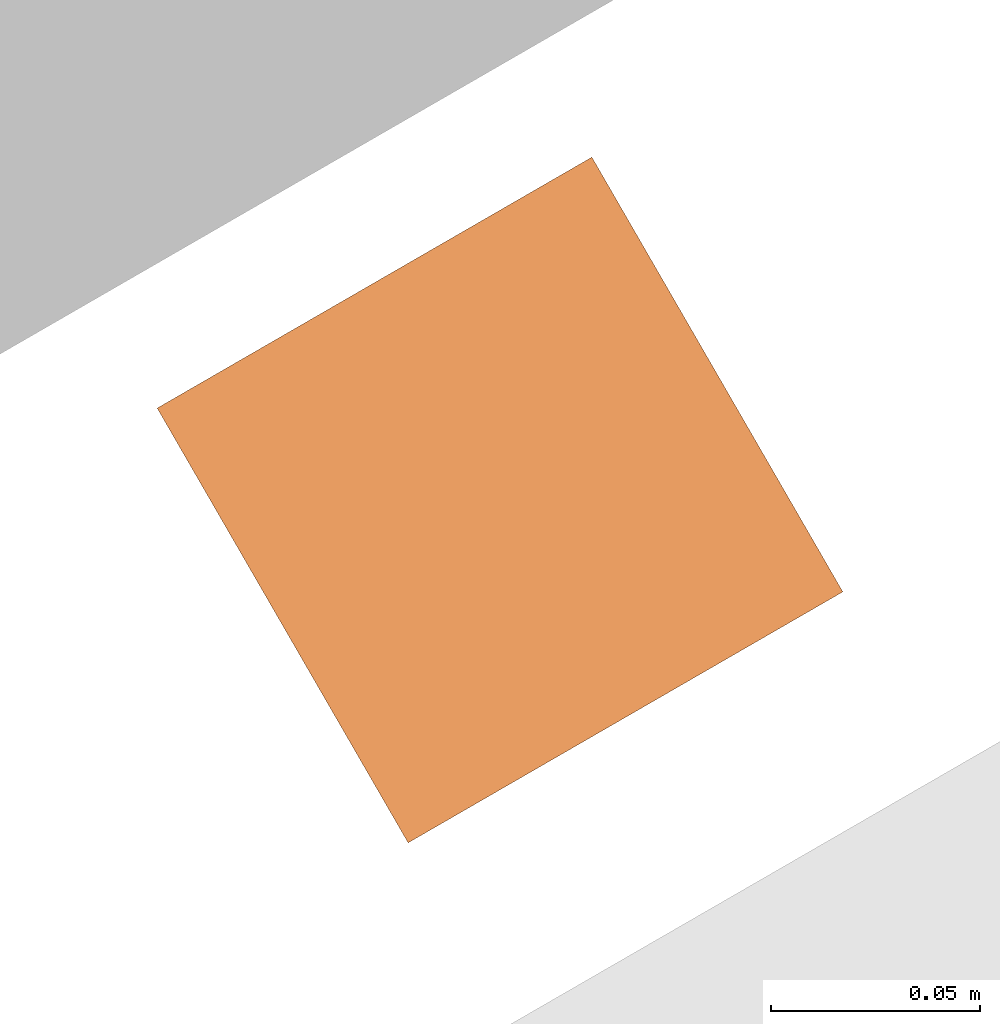
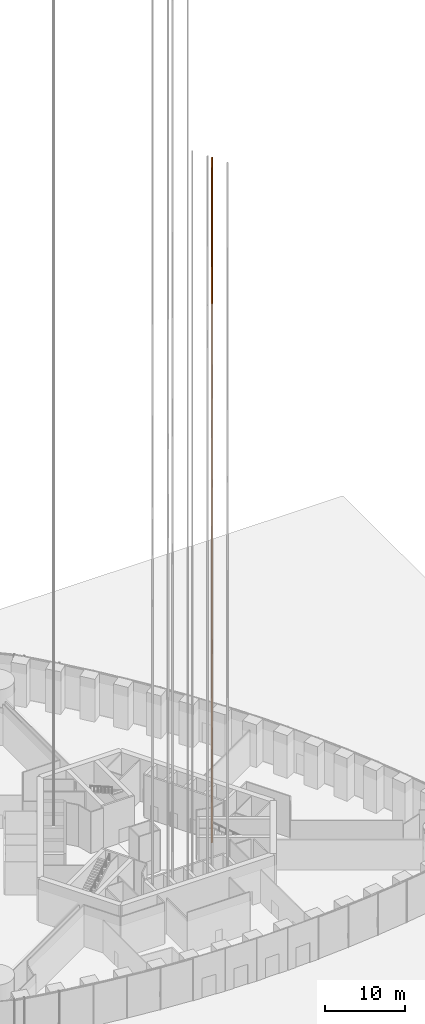
# One storey, part 33 of 43: 1 proxy.
"""IFC4 building model written with IfcOpenShell, lengths in metres."""

from ifc_helpers import new_model, si_unit, direction, frame, origin, origin_2d, place, context, subcontext, project, spatial, rectangle, extrude, element, save


model = new_model("IFC4")

# Units and contexts
model_context = context("Model", 3, precision=1e-05, world=origin(), true_north=direction((0.0, 1.0)))
body_context = subcontext(model_context, "Body", "Model", "MODEL_VIEW")
ifc_project = project(units=[si_unit("LENGTHUNIT", "METRE"), si_unit("AREAUNIT", "SQUARE_METRE"), si_unit("VOLUMEUNIT", "CUBIC_METRE"), si_unit("PLANEANGLEUNIT", "RADIAN"), si_unit("MASSUNIT", "GRAM", prefix="KILO")], contexts=[model_context])

# Site, building, storey
site_placement = place(None, origin())
site = spatial("IfcSite", under=ifc_project, at=site_placement, CompositionType="ELEMENT")
building_placement = place(site_placement, origin())
building = spatial("IfcBuilding", under=site, at=building_placement, Name="Trefoil Bronze Tower", CompositionType="ELEMENT")
storey_placement = place(building_placement, origin())
storey = spatial("IfcBuildingStorey", under=building, at=storey_placement, Name="L00", CompositionType="ELEMENT", Elevation=0.0)

# Proxy
proxy_placement = place(storey_placement, frame((11.37939453125, 2.915283203125, -1.599853515625), z_axis=(0.0, 0.0, 1.0), x_axis=(-0.5, 0.866025403784, 0.0)))
element("IfcBuildingElementProxy", 1, at=proxy_placement, inside=storey, Name="Lift S1 guide rail 2", ObjectType="LIFT GUIDE RAIL", PredefinedType="USERDEFINED", context=body_context, shape_type="SweptSolid", body=[
    extrude(rectangle(XDim=0.1201171875, YDim=0.1201171875, at=origin_2d()), origin(), (0.0, 0.0, 1.0), 104.14990234375),
])

save(model, "model.ifc")
